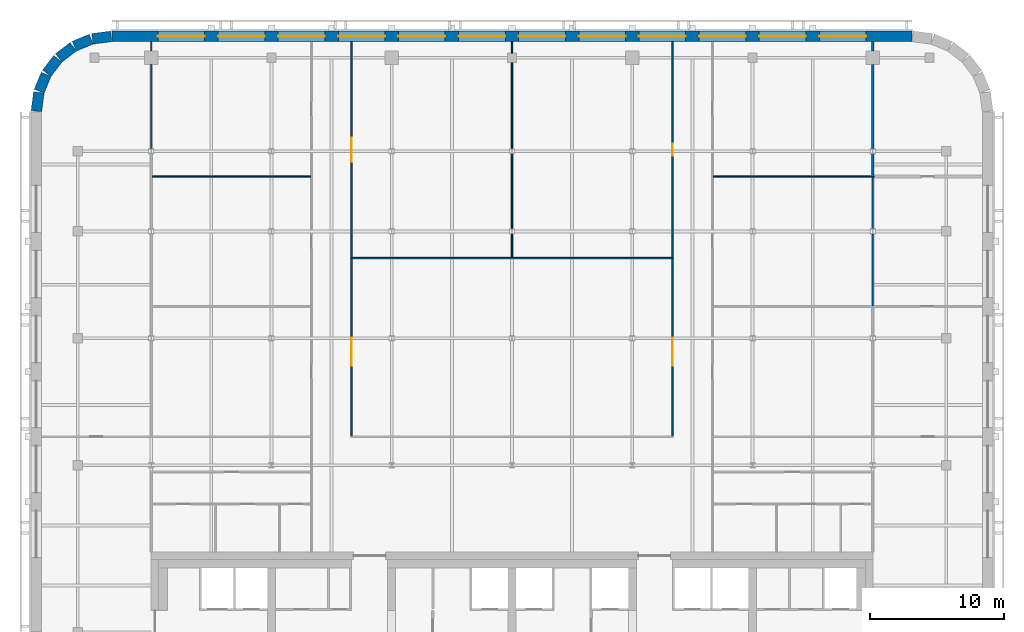
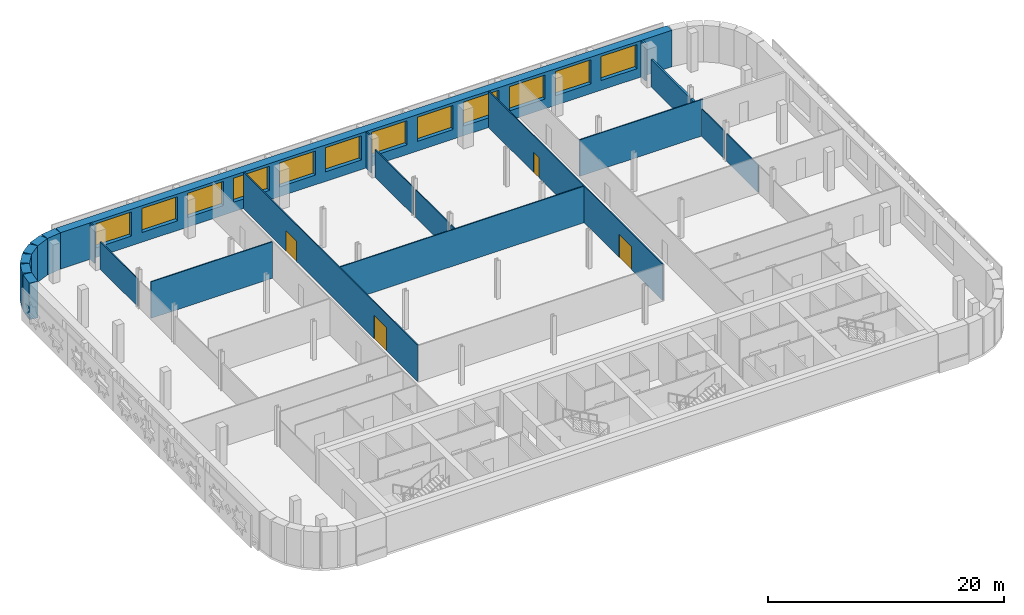
# One storey, part 10 of 16: 23 walls, 12 windows, 4 doors, 16 openings.
"""IFC4 building model written with IfcOpenShell, lengths in metres."""

from ifc_helpers import new_model, si_unit, direction, frame, frame_2d, origin, place, context, subcontext, project, spatial, rectangle, extrude, material, layer, layer_set, type_object, element, fill, save


model = new_model("IFC4")

# Units and contexts
model_context = context("Model", 3, precision=1e-05, world=origin(), true_north=direction((0.0, 1.0)))
body_context = subcontext(model_context, "Body", "Model", "MODEL_VIEW")
ifc_project = project(units=[si_unit("LENGTHUNIT", "METRE"), si_unit("AREAUNIT", "SQUARE_METRE"), si_unit("VOLUMEUNIT", "CUBIC_METRE"), si_unit("PLANEANGLEUNIT", "RADIAN"), si_unit("MASSUNIT", "GRAM", prefix="KILO")], contexts=[model_context])

# Site, building, storey
site_placement = place(None, origin())
site = spatial("IfcSite", under=ifc_project, at=site_placement, CompositionType="ELEMENT")
building_placement = place(site_placement, origin())
building = spatial("IfcBuilding", under=site, at=building_placement, Name="Zellij Exchange Tower", CompositionType="ELEMENT")
storey_placement = place(building_placement, frame((0.0, 0.0, 280.5)))
storey = spatial("IfcBuildingStorey", under=building, at=storey_placement, Name="L66", CompositionType="ELEMENT", Elevation=280.5)

# Wall, openings, windows
ifc_material_1 = material(Name="Precast concrete C40/50", Category="concrete")
ifc_layer_1 = layer(ifc_material_1, 0.800048828125)
ifc_layer_set_1 = layer_set([ifc_layer_1], Name="Precast concrete C40/50")
wall_type_1 = type_object("IfcWallType", Name="ENV-EW1 Precast stone-piered wall 800", PredefinedType="SOLIDWALL", material=ifc_layer_set_1)
wall_1_placement = place(storey_placement, frame((29.947509765625, 36.60009765625, 0.0), z_axis=(0.0, 0.0, 1.0), x_axis=(-1.0, 0.0, 0.0)))
wall_1 = element("IfcWall", 1, at=wall_1_placement, inside=storey, type_object=wall_type_1, Name="fac.L66.14", PredefinedType="SOLIDWALL", context=body_context, shape_type="SweptSolid", body=[
    extrude(rectangle(XDim=59.89501953125, YDim=0.800048828125, at=frame_2d((29.947509765625, 0.0))), origin(), (0.0, 0.0, 1.0), 3.780029296875),
])
opening_1_placement = place(wall_1_placement, frame((3.447509765625, 0.0, 1.0)))
opening_1 = element("IfcOpeningElement", 2, at=opening_1_placement, cuts=wall_1, Name="Opening FC1.07", PredefinedType="OPENING", context=body_context, shape_type="SweptSolid", body=[
    extrude(rectangle(XDim=3.5, YDim=2.5, at=frame_2d((1.75, 1.25))), frame((0.0, 0.412109375, 0.0), z_axis=(0.0, -1.0, 0.0), x_axis=(1.0, 0.0, 0.0)), (0.0, 0.0, 1.0), 0.823974609375),
])
opening_2_placement = place(wall_1_placement, frame((7.947509765625, 0.0, 1.0)))
opening_2 = element("IfcOpeningElement", 3, at=opening_2_placement, cuts=wall_1, Name="Opening FC1.08", PredefinedType="OPENING", context=body_context, shape_type="SweptSolid", body=[
    extrude(rectangle(XDim=3.5, YDim=2.5, at=frame_2d((1.75, 1.25))), frame((0.0, 0.412109375, 0.0), z_axis=(0.0, -1.0, 0.0), x_axis=(1.0, 0.0, 0.0)), (0.0, 0.0, 1.0), 0.823974609375),
])
opening_3_placement = place(wall_1_placement, frame((12.447509765625, 0.0, 1.0)))
opening_3 = element("IfcOpeningElement", 4, at=opening_3_placement, cuts=wall_1, Name="Opening FC1.09", PredefinedType="OPENING", context=body_context, shape_type="SweptSolid", body=[
    extrude(rectangle(XDim=3.5, YDim=2.5, at=frame_2d((1.75, 1.25))), frame((0.0, 0.412109375, 0.0), z_axis=(0.0, -1.0, 0.0), x_axis=(1.0, 0.0, 0.0)), (0.0, 0.0, 1.0), 0.823974609375),
])
opening_4_placement = place(wall_1_placement, frame((16.947509765625, 0.0, 1.0)))
opening_4 = element("IfcOpeningElement", 5, at=opening_4_placement, cuts=wall_1, Name="Opening FC1.10", PredefinedType="OPENING", context=body_context, shape_type="SweptSolid", body=[
    extrude(rectangle(XDim=3.5, YDim=2.5, at=frame_2d((1.75, 1.25))), frame((0.0, 0.412109375, 0.0), z_axis=(0.0, -1.0, 0.0), x_axis=(1.0, 0.0, 0.0)), (0.0, 0.0, 1.0), 0.823974609375),
])
opening_5_placement = place(wall_1_placement, frame((21.447509765625, 0.0, 1.0)))
opening_5 = element("IfcOpeningElement", 6, at=opening_5_placement, cuts=wall_1, Name="Opening FC1.11", PredefinedType="OPENING", context=body_context, shape_type="SweptSolid", body=[
    extrude(rectangle(XDim=3.5, YDim=2.5, at=frame_2d((1.75, 1.25))), frame((0.0, 0.412109375, 0.0), z_axis=(0.0, -1.0, 0.0), x_axis=(1.0, 0.0, 0.0)), (0.0, 0.0, 1.0), 0.823974609375),
])
opening_6_placement = place(wall_1_placement, frame((25.947509765625, 0.0, 1.0)))
opening_6 = element("IfcOpeningElement", 7, at=opening_6_placement, cuts=wall_1, Name="Opening FC1.12", PredefinedType="OPENING", context=body_context, shape_type="SweptSolid", body=[
    extrude(rectangle(XDim=3.5, YDim=2.5, at=frame_2d((1.75, 1.25))), frame((0.0, 0.412109375, 0.0), z_axis=(0.0, -1.0, 0.0), x_axis=(1.0, 0.0, 0.0)), (0.0, 0.0, 1.0), 0.823974609375),
])
opening_7_placement = place(wall_1_placement, frame((30.447509765625, 0.0, 1.0)))
opening_7 = element("IfcOpeningElement", 8, at=opening_7_placement, cuts=wall_1, Name="Opening FC1.13", PredefinedType="OPENING", context=body_context, shape_type="SweptSolid", body=[
    extrude(rectangle(XDim=3.5, YDim=2.5, at=frame_2d((1.75, 1.25))), frame((0.0, 0.412109375, 0.0), z_axis=(0.0, -1.0, 0.0), x_axis=(1.0, 0.0, 0.0)), (0.0, 0.0, 1.0), 0.823974609375),
])
opening_8_placement = place(wall_1_placement, frame((34.947509765625, 0.0, 1.0)))
opening_8 = element("IfcOpeningElement", 9, at=opening_8_placement, cuts=wall_1, Name="Opening FC1.14", PredefinedType="OPENING", context=body_context, shape_type="SweptSolid", body=[
    extrude(rectangle(XDim=3.5, YDim=2.5, at=frame_2d((1.75, 1.25))), frame((0.0, 0.412109375, 0.0), z_axis=(0.0, -1.0, 0.0), x_axis=(1.0, 0.0, 0.0)), (0.0, 0.0, 1.0), 0.823974609375),
])
opening_9_placement = place(wall_1_placement, frame((39.447509765625, 0.0, 1.0)))
opening_9 = element("IfcOpeningElement", 10, at=opening_9_placement, cuts=wall_1, Name="Opening FC1.15", PredefinedType="OPENING", context=body_context, shape_type="SweptSolid", body=[
    extrude(rectangle(XDim=3.5, YDim=2.5, at=frame_2d((1.75, 1.25))), frame((0.0, 0.412109375, 0.0), z_axis=(0.0, -1.0, 0.0), x_axis=(1.0, 0.0, 0.0)), (0.0, 0.0, 1.0), 0.823974609375),
])
opening_10_placement = place(wall_1_placement, frame((43.947509765625, 0.0, 1.0)))
opening_10 = element("IfcOpeningElement", 11, at=opening_10_placement, cuts=wall_1, Name="Opening FC1.16", PredefinedType="OPENING", context=body_context, shape_type="SweptSolid", body=[
    extrude(rectangle(XDim=3.5, YDim=2.5, at=frame_2d((1.75, 1.25))), frame((0.0, 0.412109375, 0.0), z_axis=(0.0, -1.0, 0.0), x_axis=(1.0, 0.0, 0.0)), (0.0, 0.0, 1.0), 0.823974609375),
])
opening_11_placement = place(wall_1_placement, frame((48.447509765625, 0.0, 1.0)))
opening_11 = element("IfcOpeningElement", 12, at=opening_11_placement, cuts=wall_1, Name="Opening FC1.17", PredefinedType="OPENING", context=body_context, shape_type="SweptSolid", body=[
    extrude(rectangle(XDim=3.5, YDim=2.5, at=frame_2d((1.75, 1.25))), frame((0.0, 0.412109375, 0.0), z_axis=(0.0, -1.0, 0.0), x_axis=(1.0, 0.0, 0.0)), (0.0, 0.0, 1.0), 0.823974609375),
])
opening_12_placement = place(wall_1_placement, frame((52.947509765625, 0.0, 1.0)))
opening_12 = element("IfcOpeningElement", 13, at=opening_12_placement, cuts=wall_1, Name="Opening FC1.18", PredefinedType="OPENING", context=body_context, shape_type="SweptSolid", body=[
    extrude(rectangle(XDim=3.5, YDim=2.5, at=frame_2d((1.75, 1.25))), frame((0.0, 0.412109375, 0.0), z_axis=(0.0, -1.0, 0.0), x_axis=(1.0, 0.0, 0.0)), (0.0, 0.0, 1.0), 0.823974609375),
])
ifc_material_2 = material(Name="Aluminium frame with insulating glass", Category="aluminium")
window_type = type_object("IfcWindowType", Name="ENV-W1 Window 3500x2500", PartitioningType="SINGLE_PANEL", PredefinedType="WINDOW", material=ifc_material_2)
window_1_placement = place(opening_1_placement, origin())
window_1 = element("IfcWindow", 14, at=window_1_placement, inside=storey, type_object=window_type, Name="Window FC1.07", OverallHeight=2.5, OverallWidth=3.5, PartitioningType="SINGLE_PANEL", PredefinedType="WINDOW", context=body_context, shape_type="SweptSolid", body=[
    extrude(rectangle(XDim=3.5, YDim=2.5, at=frame_2d((1.75, 1.25))), frame((0.0, 0.030029296875, 0.0), z_axis=(0.0, -1.0, 0.0), x_axis=(1.0, 0.0, 0.0)), (0.0, 0.0, 1.0), 0.06005859375),
])
fill(opening_1, window_1)
window_2_placement = place(opening_2_placement, origin())
window_2 = element("IfcWindow", 15, at=window_2_placement, inside=storey, type_object=window_type, Name="Window FC1.08", OverallHeight=2.5, OverallWidth=3.5, PartitioningType="SINGLE_PANEL", PredefinedType="WINDOW", context=body_context, shape_type="SweptSolid", body=[
    extrude(rectangle(XDim=3.5, YDim=2.5, at=frame_2d((1.75, 1.25))), frame((0.0, 0.030029296875, 0.0), z_axis=(0.0, -1.0, 0.0), x_axis=(1.0, 0.0, 0.0)), (0.0, 0.0, 1.0), 0.06005859375),
])
fill(opening_2, window_2)
window_3_placement = place(opening_3_placement, origin())
window_3 = element("IfcWindow", 16, at=window_3_placement, inside=storey, type_object=window_type, Name="Window FC1.09", OverallHeight=2.5, OverallWidth=3.5, PartitioningType="SINGLE_PANEL", PredefinedType="WINDOW", context=body_context, shape_type="SweptSolid", body=[
    extrude(rectangle(XDim=3.5, YDim=2.5, at=frame_2d((1.75, 1.25))), frame((0.0, 0.030029296875, 0.0), z_axis=(0.0, -1.0, 0.0), x_axis=(1.0, 0.0, 0.0)), (0.0, 0.0, 1.0), 0.06005859375),
])
fill(opening_3, window_3)
window_4_placement = place(opening_4_placement, origin())
window_4 = element("IfcWindow", 17, at=window_4_placement, inside=storey, type_object=window_type, Name="Window FC1.10", OverallHeight=2.5, OverallWidth=3.5, PartitioningType="SINGLE_PANEL", PredefinedType="WINDOW", context=body_context, shape_type="SweptSolid", body=[
    extrude(rectangle(XDim=3.5, YDim=2.5, at=frame_2d((1.75, 1.25))), frame((0.0, 0.030029296875, 0.0), z_axis=(0.0, -1.0, 0.0), x_axis=(1.0, 0.0, 0.0)), (0.0, 0.0, 1.0), 0.06005859375),
])
fill(opening_4, window_4)
window_5_placement = place(opening_5_placement, origin())
window_5 = element("IfcWindow", 18, at=window_5_placement, inside=storey, type_object=window_type, Name="Window FC1.11", OverallHeight=2.5, OverallWidth=3.5, PartitioningType="SINGLE_PANEL", PredefinedType="WINDOW", context=body_context, shape_type="SweptSolid", body=[
    extrude(rectangle(XDim=3.5, YDim=2.5, at=frame_2d((1.75, 1.25))), frame((0.0, 0.030029296875, 0.0), z_axis=(0.0, -1.0, 0.0), x_axis=(1.0, 0.0, 0.0)), (0.0, 0.0, 1.0), 0.06005859375),
])
fill(opening_5, window_5)
window_6_placement = place(opening_6_placement, origin())
window_6 = element("IfcWindow", 19, at=window_6_placement, inside=storey, type_object=window_type, Name="Window FC1.12", OverallHeight=2.5, OverallWidth=3.5, PartitioningType="SINGLE_PANEL", PredefinedType="WINDOW", context=body_context, shape_type="SweptSolid", body=[
    extrude(rectangle(XDim=3.5, YDim=2.5, at=frame_2d((1.75, 1.25))), frame((0.0, 0.030029296875, 0.0), z_axis=(0.0, -1.0, 0.0), x_axis=(1.0, 0.0, 0.0)), (0.0, 0.0, 1.0), 0.06005859375),
])
fill(opening_6, window_6)
window_7_placement = place(opening_7_placement, origin())
window_7 = element("IfcWindow", 20, at=window_7_placement, inside=storey, type_object=window_type, Name="Window FC1.13", OverallHeight=2.5, OverallWidth=3.5, PartitioningType="SINGLE_PANEL", PredefinedType="WINDOW", context=body_context, shape_type="SweptSolid", body=[
    extrude(rectangle(XDim=3.5, YDim=2.5, at=frame_2d((1.75, 1.25))), frame((0.0, 0.030029296875, 0.0), z_axis=(0.0, -1.0, 0.0), x_axis=(1.0, 0.0, 0.0)), (0.0, 0.0, 1.0), 0.06005859375),
])
fill(opening_7, window_7)
window_8_placement = place(opening_8_placement, origin())
window_8 = element("IfcWindow", 21, at=window_8_placement, inside=storey, type_object=window_type, Name="Window FC1.14", OverallHeight=2.5, OverallWidth=3.5, PartitioningType="SINGLE_PANEL", PredefinedType="WINDOW", context=body_context, shape_type="SweptSolid", body=[
    extrude(rectangle(XDim=3.5, YDim=2.5, at=frame_2d((1.75, 1.25))), frame((0.0, 0.030029296875, 0.0), z_axis=(0.0, -1.0, 0.0), x_axis=(1.0, 0.0, 0.0)), (0.0, 0.0, 1.0), 0.06005859375),
])
fill(opening_8, window_8)
window_9_placement = place(opening_9_placement, origin())
window_9 = element("IfcWindow", 22, at=window_9_placement, inside=storey, type_object=window_type, Name="Window FC1.15", OverallHeight=2.5, OverallWidth=3.5, PartitioningType="SINGLE_PANEL", PredefinedType="WINDOW", context=body_context, shape_type="SweptSolid", body=[
    extrude(rectangle(XDim=3.5, YDim=2.5, at=frame_2d((1.75, 1.25))), frame((0.0, 0.030029296875, 0.0), z_axis=(0.0, -1.0, 0.0), x_axis=(1.0, 0.0, 0.0)), (0.0, 0.0, 1.0), 0.06005859375),
])
fill(opening_9, window_9)
window_10_placement = place(opening_10_placement, origin())
window_10 = element("IfcWindow", 23, at=window_10_placement, inside=storey, type_object=window_type, Name="Window FC1.16", OverallHeight=2.5, OverallWidth=3.5, PartitioningType="SINGLE_PANEL", PredefinedType="WINDOW", context=body_context, shape_type="SweptSolid", body=[
    extrude(rectangle(XDim=3.5, YDim=2.5, at=frame_2d((1.75, 1.25))), frame((0.0, 0.030029296875, 0.0), z_axis=(0.0, -1.0, 0.0), x_axis=(1.0, 0.0, 0.0)), (0.0, 0.0, 1.0), 0.06005859375),
])
fill(opening_10, window_10)
window_11_placement = place(opening_11_placement, origin())
window_11 = element("IfcWindow", 24, at=window_11_placement, inside=storey, type_object=window_type, Name="Window FC1.17", OverallHeight=2.5, OverallWidth=3.5, PartitioningType="SINGLE_PANEL", PredefinedType="WINDOW", context=body_context, shape_type="SweptSolid", body=[
    extrude(rectangle(XDim=3.5, YDim=2.5, at=frame_2d((1.75, 1.25))), frame((0.0, 0.030029296875, 0.0), z_axis=(0.0, -1.0, 0.0), x_axis=(1.0, 0.0, 0.0)), (0.0, 0.0, 1.0), 0.06005859375),
])
fill(opening_11, window_11)
window_12_placement = place(opening_12_placement, origin())
window_12 = element("IfcWindow", 25, at=window_12_placement, inside=storey, type_object=window_type, Name="Window FC1.18", OverallHeight=2.5, OverallWidth=3.5, PartitioningType="SINGLE_PANEL", PredefinedType="WINDOW", context=body_context, shape_type="SweptSolid", body=[
    extrude(rectangle(XDim=3.5, YDim=2.5, at=frame_2d((1.75, 1.25))), frame((0.0, 0.030029296875, 0.0), z_axis=(0.0, -1.0, 0.0), x_axis=(1.0, 0.0, 0.0)), (0.0, 0.0, 1.0), 0.06005859375),
])
fill(opening_12, window_12)

# Walls
wall_2_placement = place(storey_placement, frame((-29.999755859375, 36.5966796875, 0.0), z_axis=(0.0, 0.0, 1.0), x_axis=(-0.99144603414, -0.130517283865, 0.0)))
element("IfcWall", 26, at=wall_2_placement, inside=storey, type_object=wall_type_1, Name="fac.L66.15", PredefinedType="SOLIDWALL", context=body_context, shape_type="SweptSolid", body=[
    extrude(rectangle(XDim=1.408447265625, YDim=0.800048828125, at=frame_2d((0.7041015625, 0.0))), origin(), (0.0, 0.0, 1.0), 3.780029296875),
])
wall_3_placement = place(storey_placement, frame((-31.497314453125, 36.3857421875, 0.0), z_axis=(0.0, 0.0, 1.0), x_axis=(-0.923847774587, -0.38276009378, 0.0)))
element("IfcWall", 27, at=wall_3_placement, inside=storey, type_object=wall_type_1, Name="fac.L66.16", PredefinedType="SOLIDWALL", context=body_context, shape_type="SweptSolid", body=[
    extrude(rectangle(XDim=1.35546875, YDim=0.800048828125, at=frame_2d((0.677734375, 0.0))), origin(), (0.0, 0.0, 1.0), 3.780029296875),
])
for number, where, z_axis, x_axis, name in (
    (28, (-32.840087890625, 35.814697265625, 0.0), (0.0, 0.0, 1.0), (-0.793272915452, -0.608866226366, 0.0), "fac.L66.17"),
    (29, (-33.9892578125, 34.91552734375, 0.0), (0.0, 0.0, 1.0), (-0.608866226366, -0.793272915452, 0.0), "fac.L66.18"),
):
    element("IfcWall", number, at=place(storey_placement, frame(where, z_axis=z_axis, x_axis=x_axis)), inside=storey, type_object=wall_type_1, Name=name, PredefinedType="SOLIDWALL", context=body_context, shape_type="SweptSolid", body=[
        extrude(rectangle(XDim=1.355712890625, YDim=0.800048828125, at=frame_2d((0.677734375, 0.0))), origin(), (0.0, 0.0, 1.0), 3.780029296875),
    ])
wall_4_placement = place(storey_placement, frame((-34.866943359375, 33.74951171875, 0.0), z_axis=(0.0, 0.0, 1.0), x_axis=(-0.38276009378, -0.923847774587, 0.0)))
element("IfcWall", 30, at=wall_4_placement, inside=storey, type_object=wall_type_1, Name="fac.L66.19", PredefinedType="SOLIDWALL", context=body_context, shape_type="SweptSolid", body=[
    extrude(rectangle(XDim=1.35546875, YDim=0.800048828125, at=frame_2d((0.677734375, 0.0))), origin(), (0.0, 0.0, 1.0), 3.780029296875),
])
wall_5_placement = place(storey_placement, frame((-35.412841796875, 32.396240234375, 0.0), z_axis=(0.0, 0.0, 1.0), x_axis=(-0.130517283865, -0.99144603414, 0.0)))
element("IfcWall", 31, at=wall_5_placement, inside=storey, type_object=wall_type_1, Name="fac.L66.20", PredefinedType="SOLIDWALL", context=body_context, shape_type="SweptSolid", body=[
    extrude(rectangle(XDim=1.408447265625, YDim=0.800048828125, at=frame_2d((0.7041015625, 0.0))), origin(), (0.0, 0.0, 1.0), 3.780029296875),
])
ifc_material_3 = material(Name="Blockwork partition", Category="masonry")
ifc_layer_2 = layer(ifc_material_3, 0.199951171875)
ifc_layer_set_2 = layer_set([ifc_layer_2], Name="Blockwork partition")
wall_type_2 = type_object("IfcWallType", Name="FIT-BLOCKWORK-200", PredefinedType="PARTITIONING", material=ifc_layer_set_2)
wall_6_placement = place(storey_placement, frame((27.0, 26.2099609375, 0.0), z_axis=(0.0, 0.0, 1.0), x_axis=(0.0, 1.0, 0.0)))
element("IfcWall", 32, at=wall_6_placement, inside=storey, type_object=wall_type_2, Name="FIT-BLOCKWORK-200 037", PredefinedType="PARTITIONING", context=body_context, shape_type="SweptSolid", body=[
    extrude(rectangle(XDim=1.603271484375, YDim=0.199951171875, at=frame_2d((0.8017578125, 0.0))), origin(), (0.0, 0.0, 1.0), 2.847900390625),
])
wall_7_placement = place(storey_placement, frame((27.0, 28.186767578125, 0.0), z_axis=(0.0, 0.0, 1.0), x_axis=(0.0, 1.0, 0.0)))
element("IfcWall", 33, at=wall_7_placement, inside=storey, type_object=wall_type_2, Name="FIT-BLOCKWORK-200 038", PredefinedType="PARTITIONING", context=body_context, shape_type="SweptSolid", body=[
    extrude(rectangle(XDim=6.313232421875, YDim=0.199951171875, at=frame_2d((3.15673828125, 0.0))), origin(), (0.0, 0.0, 1.0), 2.847900390625),
])
wall_8_placement = place(storey_placement, frame((27.0, 35.5, 0.0), z_axis=(0.0, 0.0, 1.0), x_axis=(0.0, 1.0, 0.0)))
element("IfcWall", 34, at=wall_8_placement, inside=storey, type_object=wall_type_2, Name="FIT-BLOCKWORK-200 039", PredefinedType="PARTITIONING", context=body_context, shape_type="SweptSolid", body=[
    extrude(rectangle(XDim=0.699951171875, YDim=0.199951171875, at=frame_2d((0.35009765625, 0.0))), origin(), (0.0, 0.0, 1.0), 3.780029296875),
])
ifc_material_4 = material(Name="Gypsum board partition on steel studs", Category="steel")
ifc_layer_3 = layer(ifc_material_4, 0.10009765625)
ifc_layer_set_3 = layer_set([ifc_layer_3], Name="Gypsum board partition on steel studs")
wall_type_3 = type_object("IfcWallType", Name="FIT-PARTITION-100", PredefinedType="PARTITIONING", material=ifc_layer_set_3)
wall_9_placement = place(storey_placement, frame((-27.0, 28.186767578125, 0.0), z_axis=(0.0, 0.0, 1.0), x_axis=(0.0, 1.0, 0.0)))
element("IfcWall", 35, at=wall_9_placement, inside=storey, type_object=wall_type_3, Name="FIT-PARTITION-100 017", PredefinedType="PARTITIONING", context=body_context, shape_type="SweptSolid", body=[
    extrude(rectangle(XDim=6.313232421875, YDim=0.10009765625, at=frame_2d((3.15673828125, 0.0))), origin(), (0.0, 0.0, 1.0), 2.847900390625),
])
wall_10_placement = place(storey_placement, frame((-27.0, 35.5, 0.0), z_axis=(0.0, 0.0, 1.0), x_axis=(0.0, 1.0, 0.0)))
element("IfcWall", 36, at=wall_10_placement, inside=storey, type_object=wall_type_3, Name="FIT-PARTITION-100 018", PredefinedType="PARTITIONING", context=body_context, shape_type="SweptSolid", body=[
    extrude(rectangle(XDim=0.699951171875, YDim=0.10009765625, at=frame_2d((0.35009765625, 0.0))), origin(), (0.0, 0.0, 1.0), 3.780029296875),
])

# Wall, openings, doors
wall_11_placement = place(storey_placement, frame((-12.0, 6.679931640625, 0.0), z_axis=(0.0, 0.0, 1.0), x_axis=(0.0, 1.0, 0.0)))
wall_11 = element("IfcWall", 37, at=wall_11_placement, inside=storey, type_object=wall_type_3, Name="FIT-PARTITION-100 020", PredefinedType="PARTITIONING", context=body_context, shape_type="SweptSolid", body=[
    extrude(rectangle(XDim=29.52001953125, YDim=0.10009765625, at=frame_2d((14.760009765625, 0.0))), origin(), (0.0, 0.0, 1.0), 3.780029296875),
])
opening_13_placement = place(wall_11_placement, frame((5.25, 0.0, 0.0)))
opening_13 = element("IfcOpeningElement", 38, at=opening_13_placement, cuts=wall_11, Name="Opening EX3.13", PredefinedType="OPENING", context=body_context, shape_type="SweptSolid", body=[
    extrude(rectangle(XDim=2.10009765625, YDim=2.39990234375, at=frame_2d((1.050048828125, 1.199951171875))), frame((0.0, 0.06201171875, 0.0), z_axis=(0.0, -1.0, 0.0), x_axis=(1.0, 0.0, 0.0)), (0.0, 0.0, 1.0), 0.1240234375),
])
opening_14_placement = place(wall_11_placement, frame((20.52001953125, 0.0, 0.0)))
opening_14 = element("IfcOpeningElement", 39, at=opening_14_placement, cuts=wall_11, Name="Opening EX3.19", PredefinedType="OPENING", context=body_context, shape_type="SweptSolid", body=[
    extrude(rectangle(XDim=1.800048828125, YDim=2.10009765625, at=frame_2d((0.89990234375, 1.050048828125))), frame((0.0, 0.06201171875, 0.0), z_axis=(0.0, -1.0, 0.0), x_axis=(1.0, 0.0, 0.0)), (0.0, 0.0, 1.0), 0.1240234375),
])
ifc_material_5 = material(Name="Timber door set", Category="wood")
door_type_1 = type_object("IfcDoorType", Name="FIT-D3-DOUBLE-1800X2100", OperationType="DOUBLE_DOOR_SINGLE_SWING", PredefinedType="DOOR", material=ifc_material_5)
door_1_placement = place(opening_14_placement, origin())
door_1 = element("IfcDoor", 40, at=door_1_placement, inside=storey, type_object=door_type_1, Name="Door EX3.19", OperationType="DOUBLE_DOOR_SINGLE_SWING", OverallHeight=2.10009765625, OverallWidth=1.800048828125, PredefinedType="DOOR", context=body_context, shape_type="SweptSolid", body=[
    extrude(rectangle(XDim=1.800048828125, YDim=2.10009765625, at=frame_2d((0.89990234375, 1.050048828125))), frame((0.0, 0.02490234375, 0.0), z_axis=(0.0, -1.0, 0.0), x_axis=(1.0, 0.0, 0.0)), (0.0, 0.0, 1.0), 0.050048828125),
])
fill(opening_14, door_1)
door_type_2 = type_object("IfcDoorType", Name="FIT-D7-ASSEMBLY-2100X2400", OperationType="DOUBLE_DOOR_SINGLE_SWING", PredefinedType="DOOR", material=ifc_material_5)
door_2_placement = place(opening_13_placement, origin())
door_2 = element("IfcDoor", 41, at=door_2_placement, inside=storey, type_object=door_type_2, Name="Door EX3.13", OperationType="DOUBLE_DOOR_SINGLE_SWING", OverallHeight=2.39990234375, OverallWidth=2.10009765625, PredefinedType="DOOR", context=body_context, shape_type="SweptSolid", body=[
    extrude(rectangle(XDim=2.10009765625, YDim=2.39990234375, at=frame_2d((1.050048828125, 1.199951171875))), frame((0.0, 0.02490234375, 0.0), z_axis=(0.0, -1.0, 0.0), x_axis=(1.0, 0.0, 0.0)), (0.0, 0.0, 1.0), 0.050048828125),
])
fill(opening_13, door_2)

wall_12_placement = place(storey_placement, frame((12.0, 6.679931640625, 0.0), z_axis=(0.0, 0.0, 1.0), x_axis=(0.0, 1.0, 0.0)))
wall_12 = element("IfcWall", 42, at=wall_12_placement, inside=storey, type_object=wall_type_3, Name="FIT-PARTITION-100 021", PredefinedType="PARTITIONING", context=body_context, shape_type="SweptSolid", body=[
    extrude(rectangle(XDim=29.52001953125, YDim=0.10009765625, at=frame_2d((14.760009765625, 0.0))), origin(), (0.0, 0.0, 1.0), 3.780029296875),
])
opening_15_placement = place(wall_12_placement, frame((5.25, 0.0, 0.0)))
opening_15 = element("IfcOpeningElement", 43, at=opening_15_placement, cuts=wall_12, Name="Opening EX3.14", PredefinedType="OPENING", context=body_context, shape_type="SweptSolid", body=[
    extrude(rectangle(XDim=2.10009765625, YDim=2.39990234375, at=frame_2d((1.050048828125, 1.199951171875))), frame((0.0, 0.06201171875, 0.0), z_axis=(0.0, -1.0, 0.0), x_axis=(1.0, 0.0, 0.0)), (0.0, 0.0, 1.0), 0.1240234375),
])
opening_16_placement = place(wall_12_placement, frame((20.969970703125, 0.0, 0.0)))
opening_16 = element("IfcOpeningElement", 44, at=opening_16_placement, cuts=wall_12, Name="Opening EX3.20", PredefinedType="OPENING", context=body_context, shape_type="SweptSolid", body=[
    extrude(rectangle(XDim=0.89990234375, YDim=2.10009765625, at=frame_2d((0.449951171875, 1.050048828125))), frame((0.0, 0.06201171875, 0.0), z_axis=(0.0, -1.0, 0.0), x_axis=(1.0, 0.0, 0.0)), (0.0, 0.0, 1.0), 0.1240234375),
])
door_type_3 = type_object("IfcDoorType", Name="FIT-D1-ROOM-900X2100", OperationType="SINGLE_SWING_LEFT", PredefinedType="DOOR", material=ifc_material_5)
door_3_placement = place(opening_16_placement, origin())
door_3 = element("IfcDoor", 45, at=door_3_placement, inside=storey, type_object=door_type_3, Name="Door EX3.20", OperationType="SINGLE_SWING_LEFT", OverallHeight=2.10009765625, OverallWidth=0.89990234375, PredefinedType="DOOR", context=body_context, shape_type="SweptSolid", body=[
    extrude(rectangle(XDim=0.89990234375, YDim=2.10009765625, at=frame_2d((0.449951171875, 1.050048828125))), frame((0.0, 0.02490234375, 0.0), z_axis=(0.0, -1.0, 0.0), x_axis=(1.0, 0.0, 0.0)), (0.0, 0.0, 1.0), 0.050048828125),
])
fill(opening_16, door_3)
door_4_placement = place(opening_15_placement, origin())
door_4 = element("IfcDoor", 46, at=door_4_placement, inside=storey, type_object=door_type_2, Name="Door EX3.14", OperationType="DOUBLE_DOOR_SINGLE_SWING", OverallHeight=2.39990234375, OverallWidth=2.10009765625, PredefinedType="DOOR", context=body_context, shape_type="SweptSolid", body=[
    extrude(rectangle(XDim=2.10009765625, YDim=2.39990234375, at=frame_2d((1.050048828125, 1.199951171875))), frame((0.0, 0.02490234375, 0.0), z_axis=(0.0, -1.0, 0.0), x_axis=(1.0, 0.0, 0.0)), (0.0, 0.0, 1.0), 0.050048828125),
])
fill(opening_15, door_4)

# Walls
wall_13_placement = place(storey_placement, frame((27.0, 16.419921875, 0.0), z_axis=(0.0, 0.0, 1.0), x_axis=(0.0, 1.0, 0.0)))
element("IfcWall", 47, at=wall_13_placement, inside=storey, type_object=wall_type_3, Name="FIT-PARTITION-100 027", PredefinedType="PARTITIONING", context=body_context, shape_type="SweptSolid", body=[
    extrude(rectangle(XDim=5.393310546875, YDim=0.10009765625, at=frame_2d((2.69677734375, 0.0))), origin(), (0.0, 0.0, 1.0), 2.847900390625),
])
wall_14_placement = place(storey_placement, frame((27.0, 22.186767578125, 0.0), z_axis=(0.0, 0.0, 1.0), x_axis=(0.0, 1.0, 0.0)))
element("IfcWall", 48, at=wall_14_placement, inside=storey, type_object=wall_type_3, Name="FIT-PARTITION-100 028", PredefinedType="PARTITIONING", context=body_context, shape_type="SweptSolid", body=[
    extrude(rectangle(XDim=3.8232421875, YDim=0.10009765625, at=frame_2d((1.91162109375, 0.0))), origin(), (0.0, 0.0, 1.0), 2.847900390625),
])
wall_15_placement = place(storey_placement, frame((-11.949951171875, 20.0, 0.0), z_axis=(0.0, 0.0, 1.0), x_axis=(1.0, 0.0, 0.0)))
element("IfcWall", 49, at=wall_15_placement, inside=storey, type_object=wall_type_3, Name="FIT-PARTITION-100 029", PredefinedType="PARTITIONING", context=body_context, shape_type="SweptSolid", body=[
    extrude(rectangle(XDim=23.89990234375, YDim=0.10009765625, at=frame_2d((11.949951171875, 0.0))), origin(), (0.0, 0.0, 1.0), 3.780029296875),
])
wall_16_placement = place(storey_placement, frame((0.0, 20.050048828125, 0.0), z_axis=(0.0, 0.0, 1.0), x_axis=(0.0, 1.0, 0.0)))
element("IfcWall", 50, at=wall_16_placement, inside=storey, type_object=wall_type_3, Name="FIT-PARTITION-100 030", PredefinedType="PARTITIONING", context=body_context, shape_type="SweptSolid", body=[
    extrude(rectangle(XDim=1.76318359375, YDim=0.10009765625, at=frame_2d((0.881591796875, 0.0))), origin(), (0.0, 0.0, 1.0), 2.847900390625),
])
wall_17_placement = place(storey_placement, frame((0.0, 22.186767578125, 0.0), z_axis=(0.0, 0.0, 1.0), x_axis=(0.0, 1.0, 0.0)))
element("IfcWall", 51, at=wall_17_placement, inside=storey, type_object=wall_type_3, Name="FIT-PARTITION-100 031", PredefinedType="PARTITIONING", context=body_context, shape_type="SweptSolid", body=[
    extrude(rectangle(XDim=5.62646484375, YDim=0.10009765625, at=frame_2d((2.813232421875, 0.0))), origin(), (0.0, 0.0, 1.0), 2.847900390625),
])
wall_18_placement = place(storey_placement, frame((0.0, 28.186767578125, 0.0), z_axis=(0.0, 0.0, 1.0), x_axis=(0.0, 1.0, 0.0)))
element("IfcWall", 52, at=wall_18_placement, inside=storey, type_object=wall_type_3, Name="FIT-PARTITION-100 032", PredefinedType="PARTITIONING", context=body_context, shape_type="SweptSolid", body=[
    extrude(rectangle(XDim=6.463134765625, YDim=0.10009765625, at=frame_2d((3.2314453125, 0.0))), origin(), (0.0, 0.0, 1.0), 2.847900390625),
])
wall_19_placement = place(storey_placement, frame((0.0, 35.35009765625, 0.0), z_axis=(0.0, 0.0, 1.0), x_axis=(0.0, 1.0, 0.0)))
element("IfcWall", 53, at=wall_19_placement, inside=storey, type_object=wall_type_3, Name="FIT-PARTITION-100 033", PredefinedType="PARTITIONING", context=body_context, shape_type="SweptSolid", body=[
    extrude(rectangle(XDim=0.849853515625, YDim=0.10009765625, at=frame_2d((0.4248046875, 0.0))), origin(), (0.0, 0.0, 1.0), 3.780029296875),
])
wall_20_placement = place(storey_placement, frame((-26.949951171875, 26.110107421875, 0.0), z_axis=(0.0, 0.0, 1.0), x_axis=(1.0, 0.0, 0.0)))
element("IfcWall", 54, at=wall_20_placement, inside=storey, type_object=wall_type_3, Name="FIT-PARTITION-100 034", PredefinedType="PARTITIONING", context=body_context, shape_type="SweptSolid", body=[
    extrude(rectangle(XDim=11.89990234375, YDim=0.10009765625, at=frame_2d((5.949951171875, 0.0))), origin(), (0.0, 0.0, 1.0), 3.780029296875),
])
wall_21_placement = place(storey_placement, frame((15.050048828125, 26.110107421875, 0.0), z_axis=(0.0, 0.0, 1.0), x_axis=(1.0, 0.0, 0.0)))
element("IfcWall", 55, at=wall_21_placement, inside=storey, type_object=wall_type_3, Name="FIT-PARTITION-100 035", PredefinedType="PARTITIONING", context=body_context, shape_type="SweptSolid", body=[
    extrude(rectangle(XDim=12.050048828125, YDim=0.10009765625, at=frame_2d((6.02490234375, 0.0))), origin(), (0.0, 0.0, 1.0), 3.780029296875),
])

save(model, "model.ifc")
